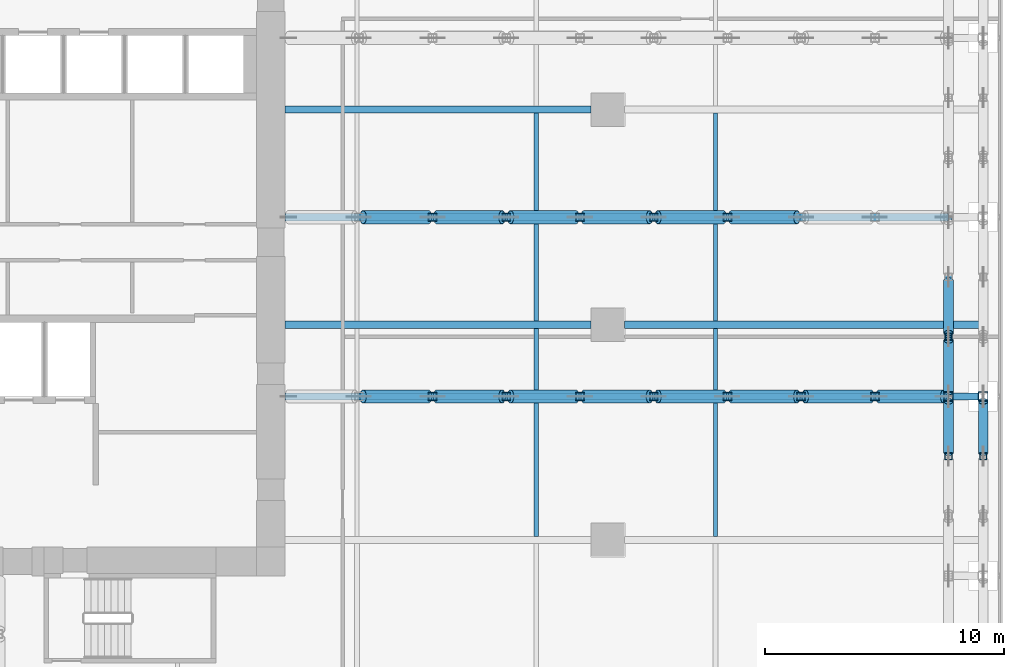
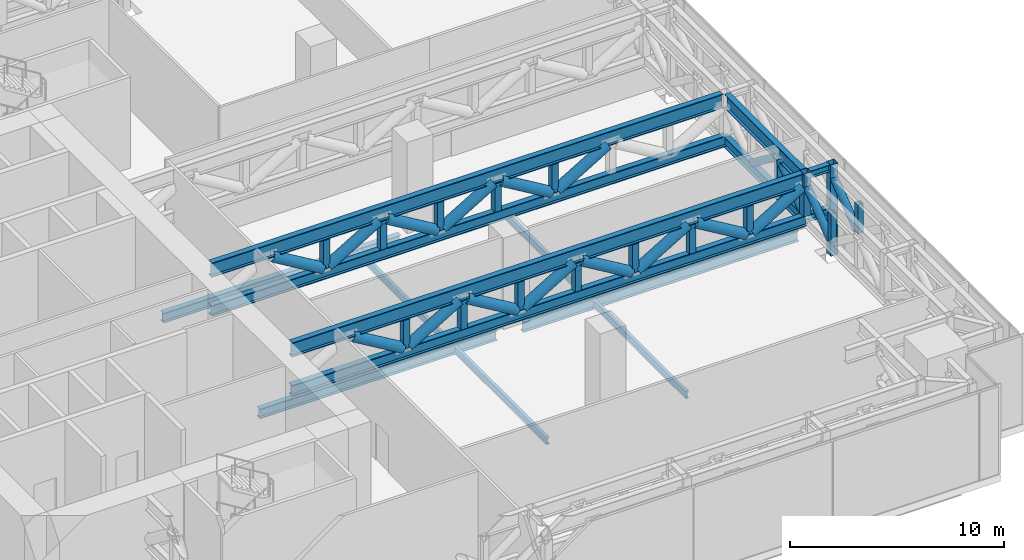
# One storey, part 13 of 39: 41 members, 9 beams.
"""IFC4 building model written with IfcOpenShell, lengths in metres."""

from ifc_helpers import new_model, si_unit, direction, frame, origin, origin_2d, place, context, subcontext, project, spatial, hollow_rectangle, hollow_circle, i_section, extrude, source, transform, mapped, material, material_profile, profile_set, type_object, element, save


model = new_model("IFC4")

# Units and contexts
model_context = context("Model", 3, precision=1e-05, world=origin(), true_north=direction((0.0, 1.0)))
body_context = subcontext(model_context, "Body", "Model", "MODEL_VIEW")
ifc_project = project(units=[si_unit("LENGTHUNIT", "METRE"), si_unit("AREAUNIT", "SQUARE_METRE"), si_unit("VOLUMEUNIT", "CUBIC_METRE"), si_unit("PLANEANGLEUNIT", "RADIAN"), si_unit("MASSUNIT", "GRAM", prefix="KILO")], contexts=[model_context])

# Site, building, storey
site_placement = place(None, origin())
site = spatial("IfcSite", under=ifc_project, at=site_placement, CompositionType="ELEMENT")
building_placement = place(site_placement, origin())
building = spatial("IfcBuilding", under=site, at=building_placement, Name="Khomas Fold Tower", CompositionType="ELEMENT")
storey_placement = place(building_placement, frame((0.0, 0.0, 96.0)))
storey = spatial("IfcBuildingStorey", under=building, at=storey_placement, Name="L20", CompositionType="ELEMENT", Elevation=96.0)

# Beams
ifc_material_1 = material(Name="Steel S355", Category="steel")
ifc_material_profile_1 = material_profile(ifc_material_1, i_section(OverallWidth=0.300048828125, OverallDepth=0.550048828125, WebThickness=0.014892578125, FlangeThickness=0.029052734375, at=origin_2d()), Name="HE 550 B")
ifc_profile_set_1 = profile_set([ifc_material_profile_1], Name="Steel S355")
beam_type_1 = type_object("IfcBeamType", Name="HE 550 B beam GB4", PredefinedType="BEAM", material=ifc_profile_set_1)
shared_shape_1 = source(origin(), body_context, "Body", "SweptSolid", [
    extrude(i_section(OverallWidth=0.300048828125, OverallDepth=0.550048828125, WebThickness=0.014892578125, FlangeThickness=0.029052734375, at=origin_2d()), origin(), (0.0, 0.0, 1.0), 12.800048828125),
])
for number, where, z_axis, x_axis, name in (
    (1, (24.0, 22.5, -0.675048828125), (1.0, 0.0, 0.0), (0.0, 1.0, 0.0), "GB4"),
    (2, (24.0, 31.5, -0.675048828125), (1.0, 0.0, 0.0), (0.0, 1.0, 0.0), "GB4"),
):
    element("IfcBeam", number, at=place(storey_placement, frame(where, z_axis=z_axis, x_axis=x_axis)), inside=storey, type_object=beam_type_1, Name=name, PredefinedType="BEAM", context=body_context, shape_type="MappedRepresentation", body=[
        mapped(shared_shape_1, transform((0.0, 0.0, 0.0))),
    ])
ifc_material_2 = material(Name="Steel S355", Category="steel")
ifc_material_profile_2 = material_profile(ifc_material_2, i_section(OverallWidth=0.179931640625, OverallDepth=0.39990234375, WebThickness=0.008544921875, FlangeThickness=0.013427734375, at=origin_2d()), Name="IPE 400")
ifc_profile_set_2 = profile_set([ifc_material_profile_2], Name="Steel S355")
beam_type_2 = type_object("IfcBeamType", Name="IPE 400 beam JB3", PredefinedType="BEAM", material=ifc_profile_set_2)
shared_shape_2 = source(origin(), body_context, "Body", "SweptSolid", [
    extrude(i_section(OverallWidth=0.179931640625, OverallDepth=0.39990234375, WebThickness=0.008544921875, FlangeThickness=0.013427734375, at=origin_2d()), origin(), (0.0, 0.0, 1.0), 8.7001953125),
])
for number, where, z_axis, x_axis, name in (
    (3, (34.5, 13.64990234375, -0.60009765625), (0.0, 1.0, 0.0), (-1.0, 0.0, 0.0), "JB3"),
    (4, (34.5, 22.64990234375, -0.60009765625), (0.0, 1.0, 0.0), (-1.0, 0.0, 0.0), "JB3"),
    (5, (42.0, 13.64990234375, -0.60009765625), (0.0, 1.0, 0.0), (-1.0, 0.0, 0.0), "JB3"),
    (6, (42.0, 22.64990234375, -0.60009765625), (0.0, 1.0, 0.0), (-1.0, 0.0, 0.0), "JB3"),
):
    element("IfcBeam", number, at=place(storey_placement, frame(where, z_axis=z_axis, x_axis=x_axis)), inside=storey, type_object=beam_type_2, Name=name, PredefinedType="BEAM", context=body_context, shape_type="MappedRepresentation", body=[
        mapped(shared_shape_2, transform((0.0, 0.0, 0.0))),
    ])
ifc_material_3 = material(Name="Steel S355", Category="steel")
ifc_material_profile_3 = material_profile(ifc_material_3, i_section(OverallWidth=0.300048828125, OverallDepth=0.60009765625, WebThickness=0.015380859375, FlangeThickness=0.030029296875, at=origin_2d()), Name="HE 600 B")
ifc_profile_set_3 = profile_set([ifc_material_profile_3], Name="Steel S355")
beam_type_3 = type_object("IfcBeamType", Name="HE 600 B beam GB5", PredefinedType="BEAM", material=ifc_profile_set_3)
shared_shape_3 = source(origin(), body_context, "Body", "SweptSolid", [
    extrude(i_section(OverallWidth=0.300048828125, OverallDepth=0.60009765625, WebThickness=0.015380859375, FlangeThickness=0.030029296875, at=origin_2d()), origin(), (0.0, 0.0, 1.0), 14.85009765625),
])
beam_1_placement = place(storey_placement, frame((38.199951171875, 22.5, -0.699951171875), z_axis=(1.0, 0.0, 0.0), x_axis=(0.0, 1.0, 0.0)))
element("IfcBeam", 7, at=beam_1_placement, inside=storey, type_object=beam_type_3, Name="GB5", PredefinedType="BEAM", context=body_context, shape_type="MappedRepresentation", body=[
    mapped(shared_shape_3, transform((0.0, 0.0, 0.0))),
])

# Members
ifc_material_4 = material(Name="Steel S355", Category="steel")
ifc_material_profile_4 = material_profile(ifc_material_4, i_section(OverallWidth=0.300048828125, OverallDepth=0.60009765625, WebThickness=0.015380859375, FlangeThickness=0.030029296875, at=origin_2d()), Name="HE 600 B")
ifc_profile_set_4 = profile_set([ifc_material_profile_4], Name="Steel S355")
member_type_1 = type_object("IfcMemberType", Name="BELT TRUSS 1 BOTTOM CHORD HE 600 B", PredefinedType="CHORD", material=ifc_profile_set_4)
shared_shape_4 = source(origin(), body_context, "Body", "SweptSolid", [
    extrude(i_section(OverallWidth=0.300048828125, OverallDepth=0.60009765625, WebThickness=0.015380859375, FlangeThickness=0.030029296875, at=origin_2d()), origin(), (0.0, 0.0, 1.0), 7.5),
])
member_1_placement = place(storey_placement, frame((51.75, 19.5, 2.449951171875), z_axis=(0.0, 1.0, 0.0), x_axis=(-1.0, 0.0, 0.0)))
element("IfcMember", 8, at=member_1_placement, inside=storey, type_object=member_type_1, Name="BT1-CB", PredefinedType="CHORD", context=body_context, shape_type="MappedRepresentation", body=[
    mapped(shared_shape_4, transform((0.0, 0.0, 0.0))),
])
ifc_material_5 = material(Name="Steel S355", Category="steel")
ifc_material_profile_5 = material_profile(ifc_material_5, hollow_rectangle(XDim=0.300048828125, YDim=0.300048828125, WallThickness=0.01611328125, at=origin_2d()), Name="SHS 300x300x16")
ifc_profile_set_5 = profile_set([ifc_material_profile_5], Name="Steel S355")
member_type_2 = type_object("IfcMemberType", Name="BELT TRUSS 1 MID POST SHS 300x300x16", PredefinedType="POST", material=ifc_profile_set_5)
shared_shape_5 = source(origin(), body_context, "Body", "SweptSolid", [
    extrude(hollow_rectangle(XDim=0.300048828125, YDim=0.300048828125, WallThickness=0.01611328125, at=origin_2d()), origin(), (0.0, 0.0, 1.0), 1.64990234375),
])
for number, where, z_axis, x_axis, name in (
    (9, (53.199951171875, 17.0, 2.75), (0.0, 0.0, 1.0), (1.0, 0.0, 0.0), "BT1-M"),
    (10, (51.75, 17.0, 2.75), (0.0, 0.0, 1.0), (1.0, 0.0, 0.0), "BT1-M"),
    (11, (51.75, 22.0, 2.75), (0.0, 0.0, 1.0), (1.0, 0.0, 0.0), "BT1-M"),
):
    element("IfcMember", number, at=place(storey_placement, frame(where, z_axis=z_axis, x_axis=x_axis)), inside=storey, type_object=member_type_2, Name=name, PredefinedType="POST", context=body_context, shape_type="MappedRepresentation", body=[
        mapped(shared_shape_5, transform((0.0, 0.0, 0.0))),
    ])
ifc_material_6 = material(Name="Steel S460M", Category="steel")
ifc_material_profile_6 = material_profile(ifc_material_6, i_section(OverallWidth=0.300048828125, OverallDepth=0.800048828125, WebThickness=0.017578125, FlangeThickness=0.032958984375, at=origin_2d()), Name="HE 800 B")
ifc_profile_set_6 = profile_set([ifc_material_profile_6], Name="Steel S460M")
member_type_3 = type_object("IfcMemberType", Name="BELT TRUSS 1 TOP CHORD HE 800 B", PredefinedType="CHORD", material=ifc_profile_set_6)
shared_shape_6 = source(origin(), body_context, "Body", "SweptSolid", [
    extrude(i_section(OverallWidth=0.300048828125, OverallDepth=0.800048828125, WebThickness=0.017578125, FlangeThickness=0.032958984375, at=origin_2d()), origin(), (0.0, 0.0, 1.0), 7.10009765625),
])
member_2_placement = place(storey_placement, frame((51.75, 19.699951171875, 4.800048828125), z_axis=(0.0, 1.0, 0.0), x_axis=(-1.0, 0.0, 0.0)))
element("IfcMember", 12, at=member_2_placement, inside=storey, type_object=member_type_3, Name="BT1-CT", PredefinedType="CHORD", context=body_context, shape_type="MappedRepresentation", body=[
    mapped(shared_shape_6, transform((0.0, 0.0, 0.0))),
])
ifc_material_7 = material(Name="Steel S355", Category="steel")
ifc_material_profile_7 = material_profile(ifc_material_7, hollow_circle(Radius=0.203125, WallThickness=0.01611328125, at=origin_2d()), Name="CHS 406.4x16")
ifc_profile_set_7 = profile_set([ifc_material_profile_7], Name="Steel S355")
member_type_4 = type_object("IfcMemberType", Name="BELT TRUSS 1 DIAGONAL CHS 406.4x16", PredefinedType="BRACE", material=ifc_profile_set_7)
shared_shape_7 = source(origin(), body_context, "Body", "SweptSolid", [
    extrude(hollow_circle(Radius=0.203125, WallThickness=0.01611328125, at=origin_2d()), origin(), (0.0, 0.0, 1.0), 2.71630859375),
])
for number, where, z_axis, x_axis, name in (
    (13, (53.199951171875, 17.14990234375, 2.7451171875), (0.0, 0.791563625226, 0.611086759159), (-1.0, 0.0, 0.0), "BT1-D"),
    (14, (51.75, 17.14990234375, 2.7451171875), (0.0, 0.791563625226, 0.611086759159), (-1.0, 0.0, 0.0), "BT1-D"),
    (15, (51.75, 19.699951171875, 2.7451171875), (0.0, 0.791563625226, 0.611086759159), (-1.0, 0.0, 0.0), "BT1-D"),
):
    element("IfcMember", number, at=place(storey_placement, frame(where, z_axis=z_axis, x_axis=x_axis)), inside=storey, type_object=member_type_4, Name=name, PredefinedType="BRACE", context=body_context, shape_type="MappedRepresentation", body=[
        mapped(shared_shape_7, transform((0.0, 0.0, 0.0))),
    ])
shared_shape_8 = source(origin(), body_context, "Body", "SweptSolid", [
    extrude(hollow_circle(Radius=0.203125, WallThickness=0.01611328125, at=origin_2d()), origin(), (0.0, 0.0, 1.0), 2.756103515625),
])
member_3_placement = place(storey_placement, frame((51.75, 22.14990234375, 4.405029296875), z_axis=(0.0, 0.798296022167, -0.602265274602), x_axis=(-1.0, 0.0, 0.0)))
element("IfcMember", 16, at=member_3_placement, inside=storey, type_object=member_type_4, Name="BT1-D", PredefinedType="BRACE", context=body_context, shape_type="MappedRepresentation", body=[
    mapped(shared_shape_8, transform((0.0, 0.0, 0.0))),
])
ifc_material_8 = material(Name="Steel S460M", Category="steel")
ifc_material_profile_8 = material_profile(ifc_material_8, hollow_rectangle(XDim=0.39990234375, YDim=0.39990234375, WallThickness=0.02001953125, at=origin_2d()), Name="SHS 400x400x20")
ifc_profile_set_8 = profile_set([ifc_material_profile_8], Name="Steel S460M")
member_type_5 = type_object("IfcMemberType", Name="BELT TRUSS 1 COLUMN POST LONG SHS 400x400x20", PredefinedType="POST", material=ifc_profile_set_8)
shared_shape_9 = source(origin(), body_context, "Body", "SweptSolid", [
    extrude(hollow_rectangle(XDim=0.39990234375, YDim=0.39990234375, WallThickness=0.02001953125, at=origin_2d()), origin(), (0.0, 0.0, 1.0), 5.199951171875),
])
member_4_placement = place(storey_placement, frame((53.199951171875, 19.5, 0.0), z_axis=(0.0, 0.0, 1.0), x_axis=(1.0, 0.0, 0.0)))
element("IfcMember", 17, at=member_4_placement, inside=storey, type_object=member_type_5, Name="BT1-PL", PredefinedType="POST", context=body_context, shape_type="MappedRepresentation", body=[
    mapped(shared_shape_9, transform((0.0, 0.0, 0.0))),
])
ifc_material_9 = material(Name="Steel S460M", Category="steel")
ifc_material_profile_9 = material_profile(ifc_material_9, hollow_rectangle(XDim=0.39990234375, YDim=0.39990234375, WallThickness=0.02001953125, at=origin_2d()), Name="SHS 400x400x20")
ifc_profile_set_9 = profile_set([ifc_material_profile_9], Name="Steel S460M")
member_type_6 = type_object("IfcMemberType", Name="BELT TRUSS 1 COLUMN POST SHS 400x400x20", PredefinedType="POST", material=ifc_profile_set_9)
shared_shape_10 = source(origin(), body_context, "Body", "SweptSolid", [
    extrude(hollow_rectangle(XDim=0.39990234375, YDim=0.39990234375, WallThickness=0.02001953125, at=origin_2d()), origin(), (0.0, 0.0, 1.0), 2.449951171875),
])
member_5_placement = place(storey_placement, frame((51.75, 19.5, 2.75), z_axis=(0.0, 0.0, 1.0), x_axis=(1.0, 0.0, 0.0)))
element("IfcMember", 18, at=member_5_placement, inside=storey, type_object=member_type_6, Name="BT1-P", PredefinedType="POST", context=body_context, shape_type="MappedRepresentation", body=[
    mapped(shared_shape_10, transform((0.0, 0.0, 0.0))),
])

# Beams
ifc_material_10 = material(Name="Steel S355", Category="steel")
ifc_material_profile_10 = material_profile(ifc_material_10, i_section(OverallWidth=0.300048828125, OverallDepth=0.39990234375, WebThickness=0.013427734375, FlangeThickness=0.02392578125, at=origin_2d()), Name="HE 400 B")
ifc_profile_set_10 = profile_set([ifc_material_profile_10], Name="Steel S355")
beam_type_4 = type_object("IfcBeamType", Name="BELT TRUSS 1 TOP STRUT HE 400 B", PredefinedType="BEAM", material=ifc_profile_set_10)
shared_shape_11 = source(origin(), body_context, "Body", "SweptSolid", [
    extrude(i_section(OverallWidth=0.300048828125, OverallDepth=0.39990234375, WebThickness=0.013427734375, FlangeThickness=0.02392578125, at=origin_2d()), origin(), (0.0, 0.0, 1.0), 1.050048828125),
])
beam_2_placement = place(storey_placement, frame((51.949951171875, 19.5, 5.0), z_axis=(1.0, 0.0, 0.0), x_axis=(0.0, 1.0, 0.0)))
element("IfcBeam", 19, at=beam_2_placement, inside=storey, type_object=beam_type_4, Name="BT1-ST", PredefinedType="BEAM", context=body_context, shape_type="MappedRepresentation", body=[
    mapped(shared_shape_11, transform((0.0, 0.0, 0.0))),
])
ifc_material_11 = material(Name="Steel S355", Category="steel")
ifc_material_profile_11 = material_profile(ifc_material_11, i_section(OverallWidth=0.300048828125, OverallDepth=0.39990234375, WebThickness=0.013427734375, FlangeThickness=0.02392578125, at=origin_2d()), Name="HE 400 B")
ifc_profile_set_11 = profile_set([ifc_material_profile_11], Name="Steel S355")
beam_type_5 = type_object("IfcBeamType", Name="BELT TRUSS 1 BOTTOM STRUT HE 400 B", PredefinedType="BEAM", material=ifc_profile_set_11)
shared_shape_12 = source(origin(), body_context, "Body", "SweptSolid", [
    extrude(i_section(OverallWidth=0.300048828125, OverallDepth=0.39990234375, WebThickness=0.013427734375, FlangeThickness=0.02392578125, at=origin_2d()), origin(), (0.0, 0.0, 1.0), 1.10009765625),
])
beam_3_placement = place(storey_placement, frame((51.89990234375, 19.5, 2.550048828125), z_axis=(1.0, 0.0, 0.0), x_axis=(0.0, 1.0, 0.0)))
element("IfcBeam", 20, at=beam_3_placement, inside=storey, type_object=beam_type_5, Name="BT1-SB", PredefinedType="BEAM", context=body_context, shape_type="MappedRepresentation", body=[
    mapped(shared_shape_12, transform((0.0, 0.0, 0.0))),
])

# Members
ifc_material_12 = material(Name="Steel S460M", Category="steel")
ifc_material_profile_12 = material_profile(ifc_material_12, i_section(OverallWidth=0.302978515625, OverallDepth=0.81396484375, WebThickness=0.02099609375, FlangeThickness=0.0400390625, at=origin_2d()), Name="HE 800 M")
ifc_profile_set_12 = profile_set([ifc_material_profile_12], Name="Steel S460M")
member_type_7 = type_object("IfcMemberType", Name="OUTRIGGER 1 TOP CHORD LONGER HE 800 M", PredefinedType="CHORD", material=ifc_profile_set_12)
shared_shape_13 = source(origin(), body_context, "Body", "SweptSolid", [
    extrude(i_section(OverallWidth=0.302978515625, OverallDepth=0.81396484375, WebThickness=0.02099609375, FlangeThickness=0.0400390625, at=origin_2d()), origin(), (0.0, 0.0, 1.0), 27.550048828125),
])
for number, where, z_axis, x_axis, name in (
    (21, (24.0, 19.5, 4.79296875), (1.0, 0.0, 0.0), (0.0, 1.0, 0.0), "OR1-CTLL"),
    (22, (24.0, 27.0, 4.79296875), (1.0, 0.0, 0.0), (0.0, 1.0, 0.0), "OR1-CTLL"),
):
    element("IfcMember", number, at=place(storey_placement, frame(where, z_axis=z_axis, x_axis=x_axis)), inside=storey, type_object=member_type_7, Name=name, PredefinedType="CHORD", context=body_context, shape_type="MappedRepresentation", body=[
        mapped(shared_shape_13, transform((0.0, 0.0, 0.0))),
    ])
ifc_material_13 = material(Name="Steel S460M", Category="steel")
ifc_material_profile_13 = material_profile(ifc_material_13, i_section(OverallWidth=0.304931640625, OverallDepth=0.6201171875, WebThickness=0.02099609375, FlangeThickness=0.0400390625, at=origin_2d()), Name="HE 600 M")
ifc_profile_set_13 = profile_set([ifc_material_profile_13], Name="Steel S460M")
member_type_8 = type_object("IfcMemberType", Name="OUTRIGGER 1 BOTTOM CHORD LONGER HE 600 M", PredefinedType="CHORD", material=ifc_profile_set_13)
shared_shape_14 = source(origin(), body_context, "Body", "SweptSolid", [
    extrude(i_section(OverallWidth=0.304931640625, OverallDepth=0.6201171875, WebThickness=0.02099609375, FlangeThickness=0.0400390625, at=origin_2d()), origin(), (0.0, 0.0, 1.0), 27.75),
])
for number, where, z_axis, x_axis, name in (
    (23, (24.0, 19.5, 2.4599609375), (1.0, 0.0, 0.0), (0.0, 1.0, 0.0), "OR1-CBLL"),
    (24, (24.0, 27.0, 2.4599609375), (1.0, 0.0, 0.0), (0.0, 1.0, 0.0), "OR1-CBLL"),
):
    element("IfcMember", number, at=place(storey_placement, frame(where, z_axis=z_axis, x_axis=x_axis)), inside=storey, type_object=member_type_8, Name=name, PredefinedType="CHORD", context=body_context, shape_type="MappedRepresentation", body=[
        mapped(shared_shape_14, transform((0.0, 0.0, 0.0))),
    ])
ifc_material_14 = material(Name="Steel S355", Category="steel")
ifc_material_profile_14 = material_profile(ifc_material_14, hollow_circle(Radius=0.279541015625, WallThickness=0.01611328125, at=origin_2d()), Name="CHS 559x16")
ifc_profile_set_14 = profile_set([ifc_material_profile_14], Name="Steel S355")
member_type_9 = type_object("IfcMemberType", Name="OUTRIGGER 1 DIAGONAL CHS 559x16", PredefinedType="BRACE", material=ifc_profile_set_14)
shared_shape_15 = source(origin(), body_context, "Body", "SweptSolid", [
    extrude(hollow_circle(Radius=0.279541015625, WallThickness=0.01611328125, at=origin_2d()), origin(), (0.0, 0.0, 1.0), 3.1806640625),
])
for number, where, z_axis, x_axis, name in (
    (25, (27.25830078125, 19.5, 4.39111328125), (0.859403714634, 0.0, -0.511297619076), (0.0, 1.0, 0.0), "OR1-D"),
    (26, (30.341552734375, 19.5, 2.764892578125), (0.859403714634, 0.0, 0.511297619076), (0.0, 1.0, 0.0), "OR1-D"),
    (27, (33.425048828125, 19.5, 4.39111328125), (0.859403714634, 0.0, -0.511297619076), (0.0, 1.0, 0.0), "OR1-D"),
    (28, (36.50830078125, 19.5, 2.764892578125), (0.859403714634, 0.0, 0.511297619076), (0.0, 1.0, 0.0), "OR1-D"),
    (29, (39.591552734375, 19.5, 4.39111328125), (0.859403714634, 0.0, -0.511297619076), (0.0, 1.0, 0.0), "OR1-D"),
    (30, (42.675048828125, 19.5, 2.764892578125), (0.859403714634, 0.0, 0.511297619076), (0.0, 1.0, 0.0), "OR1-D"),
    (31, (45.75830078125, 19.5, 4.39111328125), (0.859403714634, 0.0, -0.511297619076), (0.0, 1.0, 0.0), "OR1-D"),
    (32, (27.25830078125, 27.0, 4.39111328125), (0.859403714634, 0.0, -0.511297619076), (0.0, 1.0, 0.0), "OR1-D"),
    (33, (30.341552734375, 27.0, 2.764892578125), (0.859403714634, 0.0, 0.511297619076), (0.0, 1.0, 0.0), "OR1-D"),
    (34, (33.425048828125, 27.0, 4.39111328125), (0.859403714634, 0.0, -0.511297619076), (0.0, 1.0, 0.0), "OR1-D"),
    (35, (36.50830078125, 27.0, 2.764892578125), (0.859403714634, 0.0, 0.511297619076), (0.0, 1.0, 0.0), "OR1-D"),
    (36, (39.591552734375, 27.0, 4.39111328125), (0.859403714634, 0.0, -0.511297619076), (0.0, 1.0, 0.0), "OR1-D"),
    (37, (42.675048828125, 27.0, 2.764892578125), (0.859403714634, 0.0, 0.511297619076), (0.0, 1.0, 0.0), "OR1-D"),
):
    element("IfcMember", number, at=place(storey_placement, frame(where, z_axis=z_axis, x_axis=x_axis)), inside=storey, type_object=member_type_9, Name=name, PredefinedType="BRACE", context=body_context, shape_type="MappedRepresentation", body=[
        mapped(shared_shape_15, transform((0.0, 0.0, 0.0))),
    ])
shared_shape_16 = source(origin(), body_context, "Body", "SweptSolid", [
    extrude(hollow_circle(Radius=0.279541015625, WallThickness=0.01611328125, at=origin_2d()), origin(), (0.0, 0.0, 1.0), 3.1591796875),
])
member_6_placement = place(storey_placement, frame((48.841552734375, 19.5, 2.764892578125), z_axis=(0.857336054445, 0.0, 0.51475711724), x_axis=(0.0, 1.0, 0.0)))
element("IfcMember", 38, at=member_6_placement, inside=storey, type_object=member_type_9, Name="OR1-D", PredefinedType="BRACE", context=body_context, shape_type="MappedRepresentation", body=[
    mapped(shared_shape_16, transform((0.0, 0.0, 0.0))),
])
ifc_material_15 = material(Name="Steel S355", Category="steel")
ifc_material_profile_15 = material_profile(ifc_material_15, hollow_rectangle(XDim=0.35009765625, YDim=0.35009765625, WallThickness=0.02001953125, at=origin_2d()), Name="SHS 350x350x20")
ifc_profile_set_15 = profile_set([ifc_material_profile_15], Name="Steel S355")
member_type_10 = type_object("IfcMemberType", Name="OUTRIGGER 1 MID POST SHS 350x350x20", PredefinedType="POST", material=ifc_profile_set_15)
shared_shape_17 = source(origin(), body_context, "Body", "SweptSolid", [
    extrude(hollow_rectangle(XDim=0.35009765625, YDim=0.35009765625, WallThickness=0.02001953125, at=origin_2d()), origin(), (0.0, 0.0, 1.0), 1.615966796875),
])
for number, where, z_axis, x_axis, name in (
    (39, (30.166748046875, 19.5, 2.77001953125), (0.0, 0.0, 1.0), (1.0, 0.0, 0.0), "OR1-M"),
    (40, (33.25, 19.5, 2.77001953125), (0.0, 0.0, 1.0), (1.0, 0.0, 0.0), "OR1-M"),
    (41, (36.333251953125, 19.5, 2.77001953125), (0.0, 0.0, 1.0), (1.0, 0.0, 0.0), "OR1-M"),
    (42, (39.416748046875, 19.5, 2.77001953125), (0.0, 0.0, 1.0), (1.0, 0.0, 0.0), "OR1-M"),
    (43, (42.5, 19.5, 2.77001953125), (0.0, 0.0, 1.0), (1.0, 0.0, 0.0), "OR1-M"),
    (44, (45.583251953125, 19.5, 2.77001953125), (0.0, 0.0, 1.0), (1.0, 0.0, 0.0), "OR1-M"),
    (45, (48.666748046875, 19.5, 2.77001953125), (0.0, 0.0, 1.0), (1.0, 0.0, 0.0), "OR1-M"),
    (46, (30.166748046875, 27.0, 2.77001953125), (0.0, 0.0, 1.0), (1.0, 0.0, 0.0), "OR1-M"),
    (47, (33.25, 27.0, 2.77001953125), (0.0, 0.0, 1.0), (1.0, 0.0, 0.0), "OR1-M"),
    (48, (36.333251953125, 27.0, 2.77001953125), (0.0, 0.0, 1.0), (1.0, 0.0, 0.0), "OR1-M"),
    (49, (39.416748046875, 27.0, 2.77001953125), (0.0, 0.0, 1.0), (1.0, 0.0, 0.0), "OR1-M"),
    (50, (42.5, 27.0, 2.77001953125), (0.0, 0.0, 1.0), (1.0, 0.0, 0.0), "OR1-M"),
):
    element("IfcMember", number, at=place(storey_placement, frame(where, z_axis=z_axis, x_axis=x_axis)), inside=storey, type_object=member_type_10, Name=name, PredefinedType="POST", context=body_context, shape_type="MappedRepresentation", body=[
        mapped(shared_shape_17, transform((0.0, 0.0, 0.0))),
    ])

save(model, "model.ifc")
